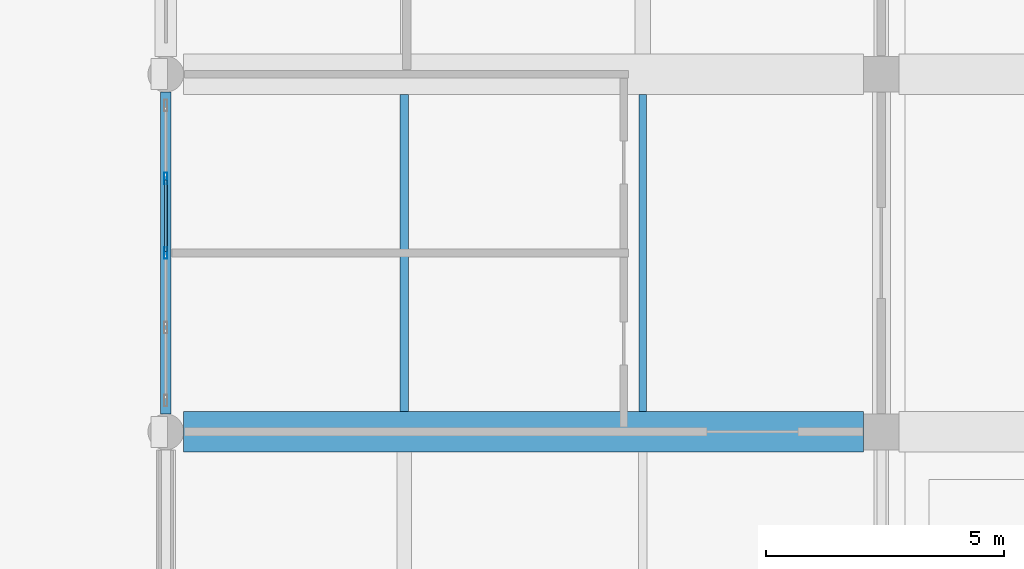
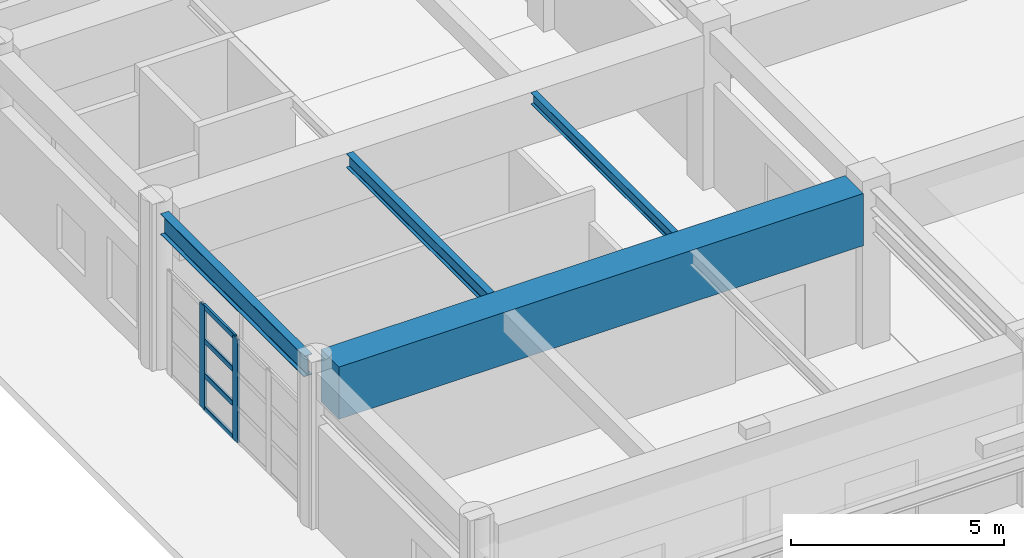
# One storey, part 4 of 122: 6 members, 4 beams, 1 element without a shape of its own.
"""IFC4 building model written with IfcOpenShell, lengths in metres."""

from ifc_helpers import new_model, si_unit, direction, frame, origin, origin_2d, place, context, subcontext, project, spatial, rectangle, hollow_rectangle, i_section, extrude, material, material_profile, profile_set, type_object, element, aggregate, save


model = new_model("IFC4")

# Units and contexts
model_context = context("Model", 3, precision=1e-05, world=origin(), true_north=direction((0.0, 1.0)))
body_context = subcontext(model_context, "Body", "Model", "MODEL_VIEW")
ifc_project = project(units=[si_unit("LENGTHUNIT", "METRE"), si_unit("AREAUNIT", "SQUARE_METRE"), si_unit("VOLUMEUNIT", "CUBIC_METRE"), si_unit("PLANEANGLEUNIT", "RADIAN"), si_unit("MASSUNIT", "GRAM", prefix="KILO")], contexts=[model_context])

# Site, building, storey
site_placement = place(None, origin())
site = spatial("IfcSite", under=ifc_project, at=site_placement, CompositionType="ELEMENT")
building_placement = place(site_placement, origin())
building = spatial("IfcBuilding", under=site, at=building_placement, Name="Qasida Concert Hall", CompositionType="ELEMENT")
storey_placement = place(building_placement, origin())
storey = spatial("IfcBuildingStorey", under=building, at=storey_placement, Name="L00", CompositionType="ELEMENT", Elevation=0.0)

# Beams
ifc_material_1 = material(Name="Steel S355J2", Category="steel")
ifc_material_profile_1 = material_profile(ifc_material_1, i_section(OverallWidth=0.179931640625, OverallDepth=0.39990234375, WebThickness=0.008544921875, FlangeThickness=0.013427734375, FilletRadius=0.02099609375, at=origin_2d()), Name="IPE 400")
ifc_profile_set_1 = profile_set([ifc_material_profile_1], Name="Steel S355J2")
beam_type_1 = type_object("IfcBeamType", Name="BM-J3", PredefinedType="JOIST", material=ifc_profile_set_1)
beam_1_placement = place(storey_placement, frame((5.0, 7.925048828125, 4.300048828125), z_axis=(0.0, 1.0, 0.0), x_axis=(-1.0, 0.0, 0.0)))
element("IfcBeam", 1, at=beam_1_placement, inside=storey, type_object=beam_type_1, Name="L00 secondary joist 0562", PredefinedType="JOIST", context=body_context, shape_type="SweptSolid", body=[
    extrude(i_section(OverallWidth=0.179931640625, OverallDepth=0.39990234375, WebThickness=0.008544921875, FlangeThickness=0.013427734375, FilletRadius=0.02099609375, at=origin_2d()), origin(), (0.0, 0.0, 1.0), 6.64990234375),
])
ifc_material_profile_2 = material_profile(ifc_material_1, i_section(OverallWidth=0.159912109375, OverallDepth=0.330078125, WebThickness=0.007568359375, FlangeThickness=0.011474609375, FilletRadius=0.01806640625, at=origin_2d()), Name="IPE 330")
ifc_profile_set_2 = profile_set([ifc_material_profile_2], Name="Steel S355J2")
beam_type_2 = type_object("IfcBeamType", Name="BM-J5", PredefinedType="JOIST", material=ifc_profile_set_2)
beam_2_placement = place(storey_placement, frame((10.0, 7.925048828125, 4.3349609375), z_axis=(0.0, 1.0, 0.0), x_axis=(-1.0, 0.0, 0.0)))
element("IfcBeam", 2, at=beam_2_placement, inside=storey, type_object=beam_type_2, Name="L00 secondary joist 0563", PredefinedType="JOIST", context=body_context, shape_type="SweptSolid", body=[
    extrude(i_section(OverallWidth=0.159912109375, OverallDepth=0.330078125, WebThickness=0.007568359375, FlangeThickness=0.011474609375, FilletRadius=0.01806640625, at=origin_2d()), origin(), (0.0, 0.0, 1.0), 6.64990234375),
])
ifc_material_profile_3 = material_profile(ifc_material_1, i_section(OverallWidth=0.219970703125, OverallDepth=0.60009765625, WebThickness=0.011962890625, FlangeThickness=0.01904296875, FilletRadius=0.02392578125, at=origin_2d()), Name="IPE 600")
ifc_profile_set_3 = profile_set([ifc_material_profile_3], Name="Steel S355J2")
beam_type_3 = type_object("IfcBeamType", Name="BM-SP3", PredefinedType="SPANDREL", material=ifc_profile_set_3)
beam_3_placement = place(storey_placement, frame((0.0, 7.875, 4.199951171875), z_axis=(0.0, 1.0, 0.0), x_axis=(-1.0, 0.0, 0.0)))
element("IfcBeam", 3, at=beam_3_placement, inside=storey, type_object=beam_type_3, Name="L00 girder 0533", PredefinedType="SPANDREL", context=body_context, shape_type="SweptSolid", body=[
    extrude(i_section(OverallWidth=0.219970703125, OverallDepth=0.60009765625, WebThickness=0.011962890625, FlangeThickness=0.01904296875, FilletRadius=0.02392578125, at=origin_2d()), origin(), (0.0, 0.0, 1.0), 6.75),
])
ifc_material_2 = material(Name="Concrete C50/60", Category="concrete")
ifc_material_profile_4 = material_profile(ifc_material_2, rectangle(XDim=0.85009765625, YDim=1.5, at=origin_2d()), Name="RC 850x1500")
ifc_profile_set_4 = profile_set([ifc_material_profile_4], Name="Concrete C50/60")
beam_type_4 = type_object("IfcBeamType", Name="BM-TG2", PredefinedType="USERDEFINED", material=ifc_profile_set_4)
beam_4_placement = place(storey_placement, frame((0.375, 7.5, 3.75), z_axis=(1.0, 0.0, 0.0), x_axis=(0.0, 1.0, 0.0)))
element("IfcBeam", 4, at=beam_4_placement, inside=storey, type_object=beam_type_4, Name="Transfer girder TG-0511", ObjectType="GIRDER", PredefinedType="USERDEFINED", context=body_context, shape_type="SweptSolid", body=[
    extrude(rectangle(XDim=0.85009765625, YDim=1.5, at=origin_2d()), origin(), (0.0, 0.0, 1.0), 14.25),
])

# Curtain wall, members
ifc_material_3 = material(Name="Architectural bronze-anodized aluminium and low-E glass", Category="aluminium")
curtain_wall_type = type_object("IfcCurtainWallType", Name="CW-06", PredefinedType="NOTDEFINED", material=ifc_material_3)
curtain_wall_placement = place(storey_placement, origin())
curtain_wall = element("IfcCurtainWall", 5, at=curtain_wall_placement, inside=storey, type_object=curtain_wall_type, Name="L00 curtain wall CW-06 0074", PredefinedType="NOTDEFINED")
ifc_material_4 = material(Name="Architectural bronze-anodized aluminium EN AW-6063", Category="aluminium")
ifc_material_profile_5 = material_profile(ifc_material_4, hollow_rectangle(XDim=0.070068359375, YDim=0.239990234375, WallThickness=0.0048828125, InnerFilletRadius=0.0048828125, OuterFilletRadius=0.010009765625, at=origin_2d()), Name="CWM 240x70x5")
ifc_profile_set_5 = profile_set([ifc_material_profile_5], Name="Architectural bronze-anodized aluminium EN AW-6063")
member_type_1 = type_object("IfcMemberType", Name="MB-CWM-1", PredefinedType="MULLION", material=ifc_profile_set_5)
member_1_placement = place(storey_placement, frame((0.0, 11.25, 0.0), z_axis=(0.0, 0.0, 1.0), x_axis=(-1.0, 0.0, 0.0)))
member_1 = element("IfcMember", 6, at=member_1_placement, type_object=member_type_1, Name="CW-06 mullion 3", PredefinedType="MULLION", context=body_context, shape_type="SweptSolid", body=[
    extrude(hollow_rectangle(XDim=0.070068359375, YDim=0.239990234375, WallThickness=0.0048828125, InnerFilletRadius=0.0048828125, OuterFilletRadius=0.010009765625, at=origin_2d()), origin(), (0.0, 0.0, 1.0), 2.969970703125),
])
member_2_placement = place(storey_placement, frame((0.0, 12.81494140625, 0.0), z_axis=(0.0, 0.0, 1.0), x_axis=(-1.0, 0.0, 0.0)))
member_2 = element("IfcMember", 7, at=member_2_placement, type_object=member_type_1, Name="CW-06 mullion 4", PredefinedType="MULLION", context=body_context, shape_type="SweptSolid", body=[
    extrude(hollow_rectangle(XDim=0.070068359375, YDim=0.239990234375, WallThickness=0.0048828125, InnerFilletRadius=0.0048828125, OuterFilletRadius=0.010009765625, at=origin_2d()), origin(), (0.0, 0.0, 1.0), 2.969970703125),
])
ifc_material_profile_6 = material_profile(ifc_material_4, hollow_rectangle(XDim=0.06494140625, YDim=0.14990234375, WallThickness=0.00390625, InnerFilletRadius=0.00390625, OuterFilletRadius=0.008056640625, at=origin_2d()), Name="CWT 150x65x4")
ifc_profile_set_6 = profile_set([ifc_material_profile_6], Name="Architectural bronze-anodized aluminium EN AW-6063")
member_type_2 = type_object("IfcMemberType", Name="MB-CWT-1", PredefinedType="USERDEFINED", material=ifc_profile_set_6)
member_3_placement = place(storey_placement, frame((0.0, 11.284912109375, 0.032470703125), z_axis=(0.0, 1.0, 0.0), x_axis=(-1.0, 0.0, 0.0)))
member_3 = element("IfcMember", 8, at=member_3_placement, type_object=member_type_2, Name="CW-06 transom 3.1", ObjectType="TRANSOM", PredefinedType="USERDEFINED", context=body_context, shape_type="SweptSolid", body=[
    extrude(hollow_rectangle(XDim=0.06494140625, YDim=0.14990234375, WallThickness=0.00390625, InnerFilletRadius=0.00390625, OuterFilletRadius=0.008056640625, at=origin_2d()), origin(), (0.0, 0.0, 1.0), 1.4951171875),
])
member_4_placement = place(storey_placement, frame((0.0, 11.284912109375, 0.989990234375), z_axis=(0.0, 1.0, 0.0), x_axis=(-1.0, 0.0, 0.0)))
member_4 = element("IfcMember", 9, at=member_4_placement, type_object=member_type_2, Name="CW-06 transom 3.2", ObjectType="TRANSOM", PredefinedType="USERDEFINED", context=body_context, shape_type="SweptSolid", body=[
    extrude(hollow_rectangle(XDim=0.06494140625, YDim=0.14990234375, WallThickness=0.00390625, InnerFilletRadius=0.00390625, OuterFilletRadius=0.008056640625, at=origin_2d()), origin(), (0.0, 0.0, 1.0), 1.4951171875),
])
member_5_placement = place(storey_placement, frame((0.0, 11.284912109375, 1.97998046875), z_axis=(0.0, 1.0, 0.0), x_axis=(-1.0, 0.0, 0.0)))
member_5 = element("IfcMember", 10, at=member_5_placement, type_object=member_type_2, Name="CW-06 transom 3.3", ObjectType="TRANSOM", PredefinedType="USERDEFINED", context=body_context, shape_type="SweptSolid", body=[
    extrude(hollow_rectangle(XDim=0.06494140625, YDim=0.14990234375, WallThickness=0.00390625, InnerFilletRadius=0.00390625, OuterFilletRadius=0.008056640625, at=origin_2d()), origin(), (0.0, 0.0, 1.0), 1.4951171875),
])
member_6_placement = place(storey_placement, frame((0.0, 11.284912109375, 2.9375), z_axis=(0.0, 1.0, 0.0), x_axis=(-1.0, 0.0, 0.0)))
member_6 = element("IfcMember", 11, at=member_6_placement, type_object=member_type_2, Name="CW-06 transom 3.4", ObjectType="TRANSOM", PredefinedType="USERDEFINED", context=body_context, shape_type="SweptSolid", body=[
    extrude(hollow_rectangle(XDim=0.06494140625, YDim=0.14990234375, WallThickness=0.00390625, InnerFilletRadius=0.00390625, OuterFilletRadius=0.008056640625, at=origin_2d()), origin(), (0.0, 0.0, 1.0), 1.4951171875),
])
aggregate(curtain_wall, [member_1, member_2, member_3, member_4, member_5, member_6])

save(model, "model.ifc")
